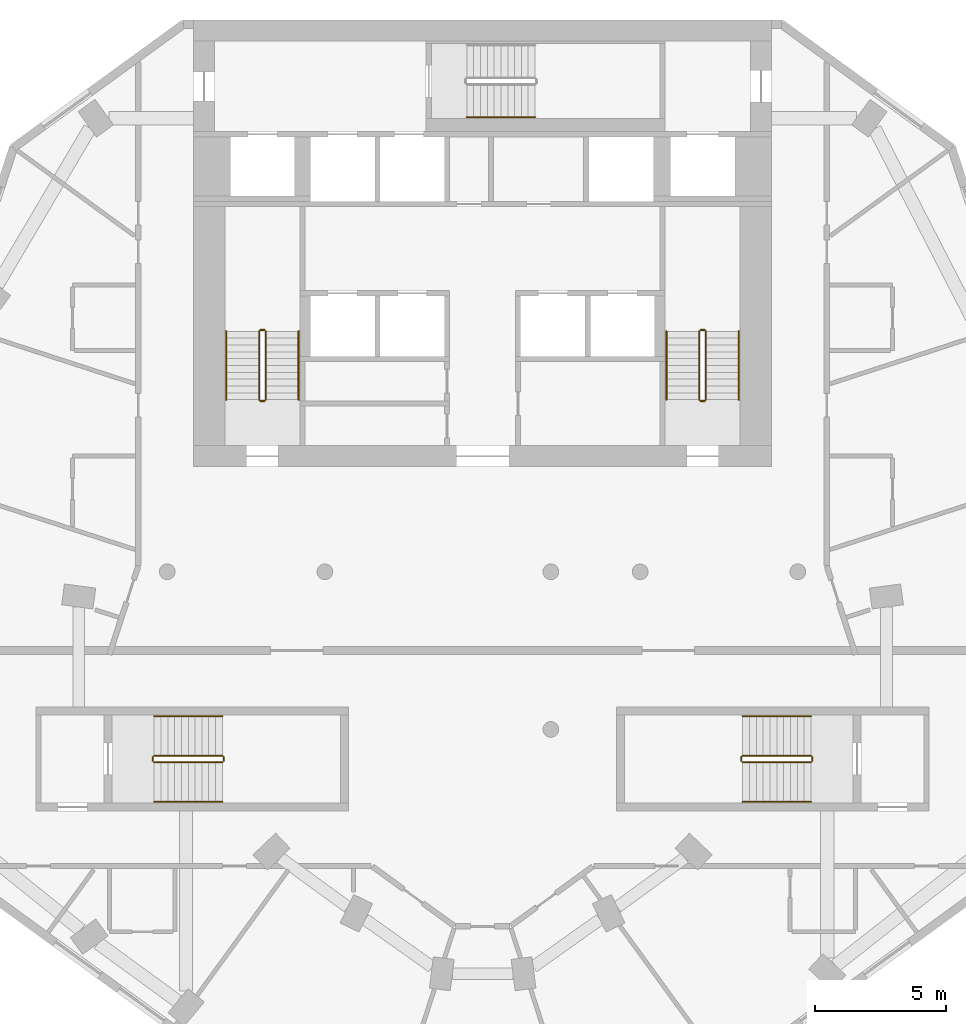
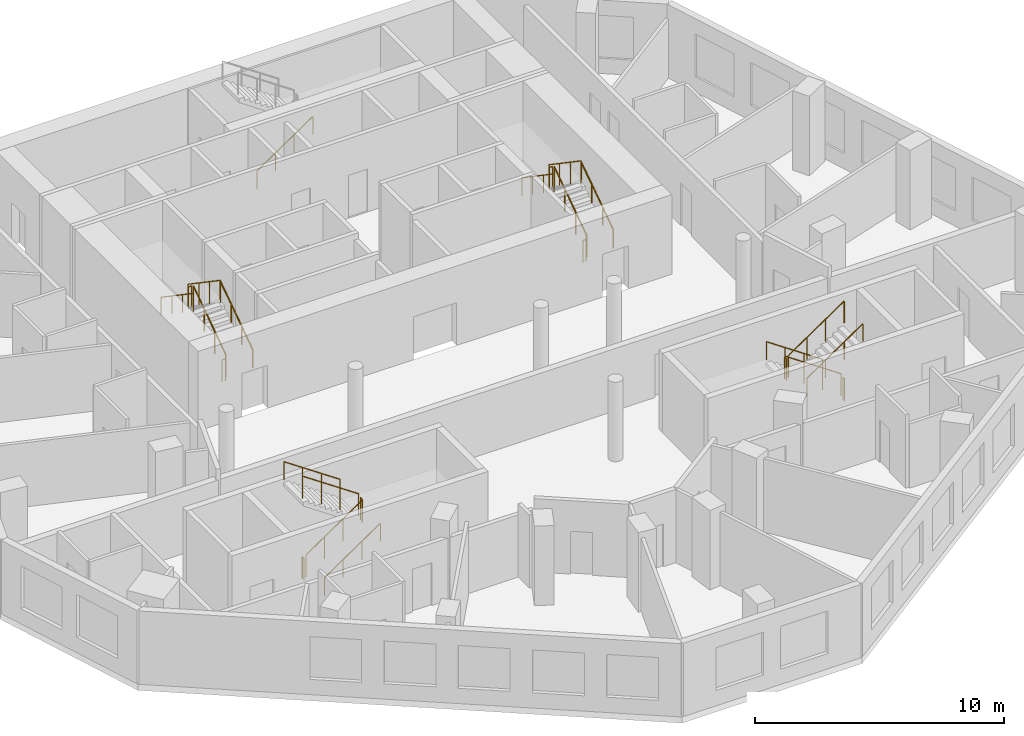
# One storey, part 8 of 9: 25 railings.
"""IFC4 building model written with IfcOpenShell, lengths in metres."""

import ifcopenshell
import ifcopenshell.guid

model = None  # the IFC model being written
_history = None  # IfcOwnerHistory: only IFC2X3 demands one
_inside = {}  # id of a spatial element -> (the spatial element, [elements in it])
_under = {}  # id of a project, library or spatial element -> (it, [spatial elements below it])
_declared = {}  # id of a project -> (the project, [libraries it declares])
_typed = {}  # id of a type object -> (the type object, [elements of that type])
_made_of = {}  # id of a material, layer set ... -> (it, [elements and type objects made of it])


def new_model(schema):
    """Start an empty IFC model of exactly this schema.

    Asked for "IFC4X3", IfcOpenShell would pick the latest addendum, in which some entities
    have other attributes; the version numbers below select the first issue.
    IFC2X3 requires an IfcOwnerHistory on every rooted entity: one is made here for all.
    """
    global model, _history
    if schema == "IFC4X3":
        model = ifcopenshell.file(schema_version=(4, 3, 0, 0))
    else:
        model = ifcopenshell.file(schema=schema)
    _inside.clear()
    _under.clear()
    _declared.clear()
    _typed.clear()
    _made_of.clear()
    _history = None
    if model.schema == "IFC2X3":
        org = make("IfcOrganization", Name="unknown")
        user = make(
            "IfcPersonAndOrganization",
            ThePerson=make("IfcPerson", FamilyName="unknown"),
            TheOrganization=org,
        )
        app = make(
            "IfcApplication",
            ApplicationDeveloper=org,
            Version="unknown",
            ApplicationFullName="unknown",
            ApplicationIdentifier="unknown",
        )
        _history = make(
            "IfcOwnerHistory",
            OwningUser=user,
            OwningApplication=app,
            ChangeAction="ADDED",
            CreationDate=0,
        )
    return model


def make(cls, **values):
    """One entity of the class cls with the attributes given. An attribute that is None is left unset."""
    return model.create_entity(
        cls, **{name: value for name, value in values.items() if value is not None}
    )


def rooted(cls, **values):
    """An entity with a GlobalId (a new one), such as an element, a storey or a relation."""
    return make(cls, GlobalId=ifcopenshell.guid.new(), OwnerHistory=_history, **values)


def si_unit(unit_type, name, prefix=None):
    """IfcSIUnit, for example si_unit("LENGTHUNIT", "METRE", prefix="MILLI")."""
    return make("IfcSIUnit", UnitType=unit_type, Prefix=prefix, Name=name)


def assignment(units):
    """IfcUnitAssignment: the units of a project."""
    return None if units is None else make("IfcUnitAssignment", Units=units)


def point(xyz):
    """IfcCartesianPoint."""
    return None if xyz is None else make("IfcCartesianPoint", Coordinates=xyz)


def direction(xyz):
    """IfcDirection."""
    return None if xyz is None else make("IfcDirection", DirectionRatios=xyz)


def frame(location, z_axis=None, x_axis=None):
    """IfcAxis2Placement3D, a coordinate frame: its origin and axes. An axis left out is left unset."""
    return make(
        "IfcAxis2Placement3D",
        Location=point(location),
        Axis=direction(z_axis),
        RefDirection=direction(x_axis),
    )


def frame_2d(location, x_axis=None):
    """IfcAxis2Placement2D, a coordinate frame in the plane: its origin and x axis."""
    return make(
        "IfcAxis2Placement2D", Location=point(location), RefDirection=direction(x_axis)
    )


def origin():
    """The frame at (0, 0, 0) with its axes left unset."""
    return frame((0.0, 0.0, 0.0))


def origin_2d():
    """The frame at (0, 0) in the plane with its x axis left unset."""
    return frame_2d((0.0, 0.0))


def place(relative_to, where):
    """IfcLocalPlacement: puts the frame where relative to a parent placement (None: the world)."""
    return make(
        "IfcLocalPlacement", PlacementRelTo=relative_to, RelativePlacement=where
    )


def context(
    kind, dimensions, precision=None, world=None, true_north=None, identifier=None
):
    """IfcGeometricRepresentationContext, for example the 3D "Model" context."""
    return make(
        "IfcGeometricRepresentationContext",
        ContextIdentifier=identifier,
        ContextType=kind,
        CoordinateSpaceDimension=dimensions,
        Precision=precision,
        WorldCoordinateSystem=world,
        TrueNorth=true_north,
    )


def subcontext(parent, identifier, kind, view, scale=None):
    """IfcGeometricRepresentationSubContext, for example "Body" below "Model"."""
    return make(
        "IfcGeometricRepresentationSubContext",
        ContextIdentifier=identifier,
        ContextType=kind,
        ParentContext=parent,
        TargetScale=scale,
        TargetView=view,
    )


def project(units=None, contexts=None):
    """IfcProject with its units and contexts."""
    return rooted(
        "IfcProject",
        Name="project",
        RepresentationContexts=contexts,
        UnitsInContext=assignment(units),
    )


def spatial(cls, under=None, at=None, **own):
    """A site, building, storey or space (cls), placed at a placement, below another one or the project."""
    s = rooted(cls, ObjectPlacement=at, **own)
    if under is not None:
        _under.setdefault(under.id(), (under, []))[1].append(s)
    return s


def profile(cls, at=None, kind="AREA", **sizes):
    """A parametric profile (cls). Its sizes go by their IFC names, for example OverallWidth=200.0."""
    return make(cls, ProfileType=kind, Position=at, **sizes)


def circle(**sizes):
    """IfcCircleProfileDef."""
    return profile("IfcCircleProfileDef", **sizes)


def extrude(swept, where, along, depth):
    """IfcExtrudedAreaSolid: the profile swept, set in the frame where, extruded along a direction by depth."""
    return make(
        "IfcExtrudedAreaSolid",
        SweptArea=swept,
        Position=where,
        ExtrudedDirection=direction(along),
        Depth=depth,
    )


def shape(context_of_items, identifier, shape_type, items):
    """IfcShapeRepresentation: the items that make up one representation, for example the "Body"."""
    return make(
        "IfcShapeRepresentation",
        ContextOfItems=context_of_items,
        RepresentationIdentifier=identifier,
        RepresentationType=shape_type,
        Items=items,
    )


def material(Name=None, Category=None):
    """IfcMaterial."""
    return make("IfcMaterial", Name=Name, Category=Category)


def made_of(thing, what):
    """Note that an element or type object is made of a material, layer set ...; save() writes the relation."""
    if what is not None:
        _made_of.setdefault(what.id(), (what, []))[1].append(thing)
    return thing


def type_object(cls, material=None, **own):
    """A type object (cls), such as IfcWallType, which elements share."""
    return made_of(rooted(cls, **own), material)


def element(
    cls,
    number,
    at=None,
    inside=None,
    cuts=None,
    type_object=None,
    material=None,
    context=None,
    identifier="Body",
    shape_type=None,
    held_by="IfcProductDefinitionShape",
    body=None,
    shapes=None,
    **own,
):
    """One element of the class cls, such as IfcWall. Its Tag is "e" and its number.

    at: its placement. inside: the storey or other place that contains it. cuts: it is an
    opening in that element (IfcRelVoidsElement). A single representation is given by context,
    identifier, shape_type and body (its items); several are given by shapes. held_by: the class
    of the entity that holds the representations. save() writes the other relations.
    """
    e = rooted(cls, Tag="e%d" % number, ObjectPlacement=at, **own)
    if body is not None:
        shapes = [shape(context, identifier, shape_type, body)]
    if shapes is not None:
        e.Representation = make(held_by, Representations=shapes)
    if inside is not None:
        _inside.setdefault(inside.id(), (inside, []))[1].append(e)
    if cuts is not None:
        rooted(
            "IfcRelVoidsElement", RelatingBuildingElement=cuts, RelatedOpeningElement=e
        )
    if type_object is not None:
        _typed.setdefault(type_object.id(), (type_object, []))[1].append(e)
    return made_of(e, material)


def aggregate(whole, parts):
    """IfcRelAggregates: a whole, such as a stair, and the parts it consists of."""
    return rooted("IfcRelAggregates", RelatingObject=whole, RelatedObjects=parts)


def save(model, path):
    """Write the relations noted so far, then the file.

    IfcRelAggregates (storeys below a building ...), IfcRelContainedInSpatialStructure (elements
    in a storey), IfcRelDefinesByType, IfcRelAssociatesMaterial and IfcRelDeclares: one each for
    every whole, place, type object, material and project.
    """
    for whole, parts in _under.values():
        aggregate(whole, parts)
    for where, things in _inside.values():
        rooted(
            "IfcRelContainedInSpatialStructure",
            RelatedElements=things,
            RelatingStructure=where,
        )
    for kind, things in _typed.values():
        rooted("IfcRelDefinesByType", RelatedObjects=things, RelatingType=kind)
    for what, things in _made_of.values():
        rooted("IfcRelAssociatesMaterial", RelatedObjects=things, RelatingMaterial=what)
    for by, libraries in _declared.values():
        rooted("IfcRelDeclares", RelatingContext=by, RelatedDefinitions=libraries)
    model.write(path)


model = new_model("IFC4")

# Units and contexts
model_context = context("Model", 3, precision=1e-05, world=origin(), true_north=direction((0.0, 1.0)))
body_context = subcontext(model_context, "Body", "Model", "MODEL_VIEW")
ifc_project = project(units=[si_unit("LENGTHUNIT", "METRE"), si_unit("AREAUNIT", "SQUARE_METRE"), si_unit("VOLUMEUNIT", "CUBIC_METRE"), si_unit("PLANEANGLEUNIT", "RADIAN"), si_unit("MASSUNIT", "GRAM", prefix="KILO")], contexts=[model_context])

# Site, building, storey
site_placement = place(None, origin())
site = spatial("IfcSite", under=ifc_project, at=site_placement, CompositionType="ELEMENT")
building_placement = place(site_placement, origin())
building = spatial("IfcBuilding", under=site, at=building_placement, Name="White Candle Pilgrim Tower", CompositionType="ELEMENT")
storey_placement = place(building_placement, frame((0.0, 0.0, 239.39990234375)))
storey = spatial("IfcBuildingStorey", under=building, at=storey_placement, Name="L56", CompositionType="ELEMENT", Elevation=239.39990234375)

# Railings
ifc_material = material(Name="Stainless steel", Category="steel")
railing_type_1 = type_object("IfcRailingType", Name="Stair guard stainless steel 1100 mm", PredefinedType="GUARDRAIL", material=ifc_material)
railing_1_placement = place(storey_placement, frame((61.75, 73.550048828125, 0.177490234375)))
element("IfcRailing", 1, at=railing_1_placement, inside=storey, type_object=railing_type_1, Name="L56 ST1 stair guard 1", PredefinedType="GUARDRAIL", context=body_context, shape_type="SweptSolid", body=[
    extrude(circle(Radius=0.02392578125, at=origin_2d()), frame((0.0, 0.0, 1.076171875), z_axis=(0.0, 0.826215852431, 0.563353676824), x_axis=(-1.0, 0.0, 0.0)), (0.0, 0.0, 1.0), 3.146728515625),
    extrude(circle(Radius=0.02099609375, at=origin_2d()), origin(), (0.0, 0.0, 1.0), 1.052001953125),
    extrude(circle(Radius=0.02099609375, at=origin_2d()), frame((0.0, 0.86669921875, 0.5908203125)), (0.0, 0.0, 1.0), 1.052001953125),
    extrude(circle(Radius=0.02099609375, at=origin_2d()), frame((0.0, 1.733154296875, 1.181884765625)), (0.0, 0.0, 1.0), 1.052001953125),
    extrude(circle(Radius=0.02099609375, at=origin_2d()), frame((0.0, 2.599853515625, 1.772705078125)), (0.0, 0.0, 1.0), 1.052001953125),
])
railing_2_placement = place(storey_placement, frame((61.699951171875, 76.199951171875, 1.9501953125)))
element("IfcRailing", 2, at=railing_2_placement, inside=storey, type_object=railing_type_1, Name="L56 ST1 stair guard 2", PredefinedType="GUARDRAIL", context=body_context, shape_type="SweptSolid", body=[
    extrude(circle(Radius=0.02392578125, at=origin_2d()), frame((0.0, 0.0, 1.076171875), z_axis=(-1.0, 0.0, 0.0), x_axis=(0.0, -1.0, 0.0)), (0.0, 0.0, 1.0), 0.14990234375),
    extrude(circle(Radius=0.02099609375, at=origin_2d()), origin(), (0.0, 0.0, 1.0), 1.052001953125),
    extrude(circle(Radius=0.02099609375, at=origin_2d()), frame((-0.14990234375, 0.0, 0.0)), (0.0, 0.0, 1.0), 1.052001953125),
])
railing_3_placement = place(storey_placement, frame((61.5, 76.14990234375, 2.12744140625)))
element("IfcRailing", 3, at=railing_3_placement, inside=storey, type_object=railing_type_1, Name="L56 ST1 stair guard 3", PredefinedType="GUARDRAIL", context=body_context, shape_type="SweptSolid", body=[
    extrude(circle(Radius=0.02392578125, at=origin_2d()), frame((0.0, 0.0, 1.076171875), z_axis=(0.0, -0.826215852431, 0.563353676824), x_axis=(1.0, 0.0, 0.0)), (0.0, 0.0, 1.0), 3.146728515625),
    extrude(circle(Radius=0.02099609375, at=origin_2d()), origin(), (0.0, 0.0, 1.0), 1.052001953125),
    extrude(circle(Radius=0.02099609375, at=origin_2d()), frame((0.0, -0.86669921875, 0.5908203125)), (0.0, 0.0, 1.0), 1.052001953125),
    extrude(circle(Radius=0.02099609375, at=origin_2d()), frame((0.0, -1.733154296875, 1.181884765625)), (0.0, 0.0, 1.0), 1.052001953125),
    extrude(circle(Radius=0.02099609375, at=origin_2d()), frame((0.0, -2.599853515625, 1.772705078125)), (0.0, 0.0, 1.0), 1.052001953125),
])
railing_4_placement = place(storey_placement, frame((61.699951171875, 73.5, 0.0)))
element("IfcRailing", 4, at=railing_4_placement, inside=storey, type_object=railing_type_1, Name="L56 ST1 stair guard 4", PredefinedType="GUARDRAIL", context=body_context, shape_type="SweptSolid", body=[
    extrude(circle(Radius=0.02392578125, at=origin_2d()), frame((0.0, 0.0, 1.076171875), z_axis=(-1.0, 0.0, 0.0), x_axis=(0.0, -1.0, 0.0)), (0.0, 0.0, 1.0), 0.14990234375),
    extrude(circle(Radius=0.02099609375, at=origin_2d()), origin(), (0.0, 0.0, 1.0), 1.052001953125),
    extrude(circle(Radius=0.02099609375, at=origin_2d()), frame((-0.14990234375, 0.0, 0.0)), (0.0, 0.0, 1.0), 1.052001953125),
])
railing_5_placement = place(storey_placement, frame((78.5, 73.550048828125, 0.177490234375)))
element("IfcRailing", 5, at=railing_5_placement, inside=storey, type_object=railing_type_1, Name="L56 ST2 stair guard 1", PredefinedType="GUARDRAIL", context=body_context, shape_type="SweptSolid", body=[
    extrude(circle(Radius=0.02392578125, at=origin_2d()), frame((0.0, 0.0, 1.076171875), z_axis=(0.0, 0.826215852431, 0.563353676824), x_axis=(-1.0, 0.0, 0.0)), (0.0, 0.0, 1.0), 3.146728515625),
    extrude(circle(Radius=0.02099609375, at=origin_2d()), origin(), (0.0, 0.0, 1.0), 1.052001953125),
    extrude(circle(Radius=0.02099609375, at=origin_2d()), frame((0.0, 0.86669921875, 0.5908203125)), (0.0, 0.0, 1.0), 1.052001953125),
    extrude(circle(Radius=0.02099609375, at=origin_2d()), frame((0.0, 1.733154296875, 1.181884765625)), (0.0, 0.0, 1.0), 1.052001953125),
    extrude(circle(Radius=0.02099609375, at=origin_2d()), frame((0.0, 2.599853515625, 1.772705078125)), (0.0, 0.0, 1.0), 1.052001953125),
])
railing_6_placement = place(storey_placement, frame((78.449951171875, 76.199951171875, 1.9501953125)))
element("IfcRailing", 6, at=railing_6_placement, inside=storey, type_object=railing_type_1, Name="L56 ST2 stair guard 2", PredefinedType="GUARDRAIL", context=body_context, shape_type="SweptSolid", body=[
    extrude(circle(Radius=0.02392578125, at=origin_2d()), frame((0.0, 0.0, 1.076171875), z_axis=(-1.0, 0.0, 0.0), x_axis=(0.0, -1.0, 0.0)), (0.0, 0.0, 1.0), 0.14990234375),
    extrude(circle(Radius=0.02099609375, at=origin_2d()), origin(), (0.0, 0.0, 1.0), 1.052001953125),
    extrude(circle(Radius=0.02099609375, at=origin_2d()), frame((-0.14990234375, 0.0, 0.0)), (0.0, 0.0, 1.0), 1.052001953125),
])
railing_7_placement = place(storey_placement, frame((78.25, 76.14990234375, 2.12744140625)))
element("IfcRailing", 7, at=railing_7_placement, inside=storey, type_object=railing_type_1, Name="L56 ST2 stair guard 3", PredefinedType="GUARDRAIL", context=body_context, shape_type="SweptSolid", body=[
    extrude(circle(Radius=0.02392578125, at=origin_2d()), frame((0.0, 0.0, 1.076171875), z_axis=(0.0, -0.826215852431, 0.563353676824), x_axis=(1.0, 0.0, 0.0)), (0.0, 0.0, 1.0), 3.146728515625),
    extrude(circle(Radius=0.02099609375, at=origin_2d()), origin(), (0.0, 0.0, 1.0), 1.052001953125),
    extrude(circle(Radius=0.02099609375, at=origin_2d()), frame((0.0, -0.86669921875, 0.5908203125)), (0.0, 0.0, 1.0), 1.052001953125),
    extrude(circle(Radius=0.02099609375, at=origin_2d()), frame((0.0, -1.733154296875, 1.181884765625)), (0.0, 0.0, 1.0), 1.052001953125),
    extrude(circle(Radius=0.02099609375, at=origin_2d()), frame((0.0, -2.599853515625, 1.772705078125)), (0.0, 0.0, 1.0), 1.052001953125),
])
railing_8_placement = place(storey_placement, frame((78.449951171875, 73.5, 0.0)))
element("IfcRailing", 8, at=railing_8_placement, inside=storey, type_object=railing_type_1, Name="L56 ST2 stair guard 4", PredefinedType="GUARDRAIL", context=body_context, shape_type="SweptSolid", body=[
    extrude(circle(Radius=0.02392578125, at=origin_2d()), frame((0.0, 0.0, 1.076171875), z_axis=(-1.0, 0.0, 0.0), x_axis=(0.0, -1.0, 0.0)), (0.0, 0.0, 1.0), 0.14990234375),
    extrude(circle(Radius=0.02099609375, at=origin_2d()), origin(), (0.0, 0.0, 1.0), 1.052001953125),
    extrude(circle(Radius=0.02099609375, at=origin_2d()), frame((-0.14990234375, 0.0, 0.0)), (0.0, 0.0, 1.0), 1.052001953125),
])
railing_9_placement = place(storey_placement, frame((82.5, 60.0, 0.177490234375)))
element("IfcRailing", 9, at=railing_9_placement, inside=storey, type_object=railing_type_1, Name="L56 ST4 stair guard 1", PredefinedType="GUARDRAIL", context=body_context, shape_type="SweptSolid", body=[
    extrude(circle(Radius=0.02392578125, at=origin_2d()), frame((0.0, 0.0, 1.076171875), z_axis=(-0.826240473404, 0.0, 0.563317565952), x_axis=(0.0, -1.0, 0.0)), (0.0, 0.0, 1.0), 3.14697265625),
    extrude(circle(Radius=0.02099609375, at=origin_2d()), origin(), (0.0, 0.0, 1.0), 1.052001953125),
    extrude(circle(Radius=0.02099609375, at=origin_2d()), frame((-0.86669921875, 0.0, 0.5908203125)), (0.0, 0.0, 1.0), 1.052001953125),
    extrude(circle(Radius=0.02099609375, at=origin_2d()), frame((-1.7333984375, 0.0, 1.181884765625)), (0.0, 0.0, 1.0), 1.052001953125),
    extrude(circle(Radius=0.02099609375, at=origin_2d()), frame((-2.60009765625, 0.0, 1.772705078125)), (0.0, 0.0, 1.0), 1.052001953125),
])
railing_10_placement = place(storey_placement, frame((79.85009765625, 59.949951171875, 1.9501953125)))
element("IfcRailing", 10, at=railing_10_placement, inside=storey, type_object=railing_type_1, Name="L56 ST4 stair guard 2", PredefinedType="GUARDRAIL", context=body_context, shape_type="SweptSolid", body=[
    extrude(circle(Radius=0.02392578125, at=origin_2d()), frame((0.0, 0.0, 1.076171875), z_axis=(0.0, -1.0, 0.0), x_axis=(1.0, 0.0, 0.0)), (0.0, 0.0, 1.0), 0.14990234375),
    extrude(circle(Radius=0.02099609375, at=origin_2d()), origin(), (0.0, 0.0, 1.0), 1.052001953125),
    extrude(circle(Radius=0.02099609375, at=origin_2d()), frame((0.0, -0.14990234375, 0.0)), (0.0, 0.0, 1.0), 1.052001953125),
])
railing_11_placement = place(storey_placement, frame((79.89990234375, 59.75, 2.12744140625)))
element("IfcRailing", 11, at=railing_11_placement, inside=storey, type_object=railing_type_1, Name="L56 ST4 stair guard 3", PredefinedType="GUARDRAIL", context=body_context, shape_type="SweptSolid", body=[
    extrude(circle(Radius=0.02392578125, at=origin_2d()), frame((0.0, 0.0, 1.076171875), z_axis=(0.826240473404, 0.0, 0.563317565952), x_axis=(0.0, 1.0, 0.0)), (0.0, 0.0, 1.0), 3.14697265625),
    extrude(circle(Radius=0.02099609375, at=origin_2d()), origin(), (0.0, 0.0, 1.0), 1.052001953125),
    extrude(circle(Radius=0.02099609375, at=origin_2d()), frame((0.86669921875, 0.0, 0.5908203125)), (0.0, 0.0, 1.0), 1.052001953125),
    extrude(circle(Radius=0.02099609375, at=origin_2d()), frame((1.7333984375, 0.0, 1.181884765625)), (0.0, 0.0, 1.0), 1.052001953125),
    extrude(circle(Radius=0.02099609375, at=origin_2d()), frame((2.60009765625, 0.0, 1.772705078125)), (0.0, 0.0, 1.0), 1.052001953125),
])
railing_12_placement = place(storey_placement, frame((82.550048828125, 59.949951171875, 0.0)))
element("IfcRailing", 12, at=railing_12_placement, inside=storey, type_object=railing_type_1, Name="L56 ST4 stair guard 4", PredefinedType="GUARDRAIL", context=body_context, shape_type="SweptSolid", body=[
    extrude(circle(Radius=0.02392578125, at=origin_2d()), frame((0.0, 0.0, 1.076171875), z_axis=(0.0, -1.0, 0.0), x_axis=(1.0, 0.0, 0.0)), (0.0, 0.0, 1.0), 0.14990234375),
    extrude(circle(Radius=0.02099609375, at=origin_2d()), origin(), (0.0, 0.0, 1.0), 1.052001953125),
    extrude(circle(Radius=0.02099609375, at=origin_2d()), frame((0.0, -0.14990234375, 0.0)), (0.0, 0.0, 1.0), 1.052001953125),
])
railing_13_placement = place(storey_placement, frame((57.5, 59.75, 0.177490234375)))
element("IfcRailing", 13, at=railing_13_placement, inside=storey, type_object=railing_type_1, Name="L56 ST5 stair guard 1", PredefinedType="GUARDRAIL", context=body_context, shape_type="SweptSolid", body=[
    extrude(circle(Radius=0.02392578125, at=origin_2d()), frame((0.0, 0.0, 1.076171875), z_axis=(0.826240473404, 0.0, 0.563317565952), x_axis=(0.0, 1.0, 0.0)), (0.0, 0.0, 1.0), 3.14697265625),
    extrude(circle(Radius=0.02099609375, at=origin_2d()), origin(), (0.0, 0.0, 1.0), 1.052001953125),
    extrude(circle(Radius=0.02099609375, at=origin_2d()), frame((0.86669921875, 0.0, 0.5908203125)), (0.0, 0.0, 1.0), 1.052001953125),
    extrude(circle(Radius=0.02099609375, at=origin_2d()), frame((1.7333984375, 0.0, 1.181884765625)), (0.0, 0.0, 1.0), 1.052001953125),
    extrude(circle(Radius=0.02099609375, at=origin_2d()), frame((2.60009765625, 0.0, 1.772705078125)), (0.0, 0.0, 1.0), 1.052001953125),
])
railing_14_placement = place(storey_placement, frame((60.14990234375, 59.800048828125, 1.9501953125)))
element("IfcRailing", 14, at=railing_14_placement, inside=storey, type_object=railing_type_1, Name="L56 ST5 stair guard 2", PredefinedType="GUARDRAIL", context=body_context, shape_type="SweptSolid", body=[
    extrude(circle(Radius=0.02392578125, at=origin_2d()), frame((0.0, 0.0, 1.076171875), z_axis=(0.0, 1.0, 0.0), x_axis=(-1.0, 0.0, 0.0)), (0.0, 0.0, 1.0), 0.14990234375),
    extrude(circle(Radius=0.02099609375, at=origin_2d()), origin(), (0.0, 0.0, 1.0), 1.052001953125),
    extrude(circle(Radius=0.02099609375, at=origin_2d()), frame((0.0, 0.14990234375, 0.0)), (0.0, 0.0, 1.0), 1.052001953125),
])
railing_15_placement = place(storey_placement, frame((60.10009765625, 60.0, 2.12744140625)))
element("IfcRailing", 15, at=railing_15_placement, inside=storey, type_object=railing_type_1, Name="L56 ST5 stair guard 3", PredefinedType="GUARDRAIL", context=body_context, shape_type="SweptSolid", body=[
    extrude(circle(Radius=0.02392578125, at=origin_2d()), frame((0.0, 0.0, 1.076171875), z_axis=(-0.826240473404, 0.0, 0.563317565952), x_axis=(0.0, -1.0, 0.0)), (0.0, 0.0, 1.0), 3.14697265625),
    extrude(circle(Radius=0.02099609375, at=origin_2d()), origin(), (0.0, 0.0, 1.0), 1.052001953125),
    extrude(circle(Radius=0.02099609375, at=origin_2d()), frame((-0.86669921875, 0.0, 0.5908203125)), (0.0, 0.0, 1.0), 1.052001953125),
    extrude(circle(Radius=0.02099609375, at=origin_2d()), frame((-1.7333984375, 0.0, 1.181884765625)), (0.0, 0.0, 1.0), 1.052001953125),
    extrude(circle(Radius=0.02099609375, at=origin_2d()), frame((-2.60009765625, 0.0, 1.772705078125)), (0.0, 0.0, 1.0), 1.052001953125),
])
railing_16_placement = place(storey_placement, frame((57.449951171875, 59.800048828125, 0.0)))
element("IfcRailing", 16, at=railing_16_placement, inside=storey, type_object=railing_type_1, Name="L56 ST5 stair guard 4", PredefinedType="GUARDRAIL", context=body_context, shape_type="SweptSolid", body=[
    extrude(circle(Radius=0.02392578125, at=origin_2d()), frame((0.0, 0.0, 1.076171875), z_axis=(0.0, 1.0, 0.0), x_axis=(-1.0, 0.0, 0.0)), (0.0, 0.0, 1.0), 0.14990234375),
    extrude(circle(Radius=0.02099609375, at=origin_2d()), origin(), (0.0, 0.0, 1.0), 1.052001953125),
    extrude(circle(Radius=0.02099609375, at=origin_2d()), frame((0.0, 0.14990234375, 0.0)), (0.0, 0.0, 1.0), 1.052001953125),
])
railing_type_2 = type_object("IfcRailingType", Name="Stair handrail stainless steel", PredefinedType="HANDRAIL", material=ifc_material)
railing_17_placement = place(storey_placement, frame((63.0, 73.550048828125, 0.177490234375)))
element("IfcRailing", 17, at=railing_17_placement, inside=storey, type_object=railing_type_2, Name="L56 ST1 stair handrail 1", PredefinedType="HANDRAIL", context=body_context, shape_type="SweptSolid", body=[
    extrude(circle(Radius=0.02392578125, at=origin_2d()), frame((0.0, 0.0, 0.8759765625), z_axis=(0.0, 0.826215852431, 0.563353676824), x_axis=(-1.0, 0.0, 0.0)), (0.0, 0.0, 1.0), 3.146728515625),
    extrude(circle(Radius=0.02099609375, at=origin_2d()), origin(), (0.0, 0.0, 1.0), 0.851806640625),
    extrude(circle(Radius=0.02099609375, at=origin_2d()), frame((0.0, 0.86669921875, 0.5908203125)), (0.0, 0.0, 1.0), 0.851806640625),
    extrude(circle(Radius=0.02099609375, at=origin_2d()), frame((0.0, 1.733154296875, 1.181884765625)), (0.0, 0.0, 1.0), 0.851806640625),
    extrude(circle(Radius=0.02099609375, at=origin_2d()), frame((0.0, 2.599853515625, 1.772705078125)), (0.0, 0.0, 1.0), 0.851806640625),
])
railing_18_placement = place(storey_placement, frame((60.25, 76.14990234375, 2.12744140625)))
element("IfcRailing", 18, at=railing_18_placement, inside=storey, type_object=railing_type_2, Name="L56 ST1 stair handrail 2", PredefinedType="HANDRAIL", context=body_context, shape_type="SweptSolid", body=[
    extrude(circle(Radius=0.02392578125, at=origin_2d()), frame((0.0, 0.0, 0.8759765625), z_axis=(0.0, -0.826215852431, 0.563353676824), x_axis=(1.0, 0.0, 0.0)), (0.0, 0.0, 1.0), 3.146728515625),
    extrude(circle(Radius=0.02099609375, at=origin_2d()), origin(), (0.0, 0.0, 1.0), 0.851806640625),
    extrude(circle(Radius=0.02099609375, at=origin_2d()), frame((0.0, -0.86669921875, 0.5908203125)), (0.0, 0.0, 1.0), 0.851806640625),
    extrude(circle(Radius=0.02099609375, at=origin_2d()), frame((0.0, -1.733154296875, 1.181884765625)), (0.0, 0.0, 1.0), 0.851806640625),
    extrude(circle(Radius=0.02099609375, at=origin_2d()), frame((0.0, -2.599853515625, 1.772705078125)), (0.0, 0.0, 1.0), 0.851806640625),
])
railing_19_placement = place(storey_placement, frame((79.75, 73.550048828125, 0.177490234375)))
element("IfcRailing", 19, at=railing_19_placement, inside=storey, type_object=railing_type_2, Name="L56 ST2 stair handrail 1", PredefinedType="HANDRAIL", context=body_context, shape_type="SweptSolid", body=[
    extrude(circle(Radius=0.02392578125, at=origin_2d()), frame((0.0, 0.0, 0.8759765625), z_axis=(0.0, 0.826215852431, 0.563353676824), x_axis=(-1.0, 0.0, 0.0)), (0.0, 0.0, 1.0), 3.146728515625),
    extrude(circle(Radius=0.02099609375, at=origin_2d()), origin(), (0.0, 0.0, 1.0), 0.851806640625),
    extrude(circle(Radius=0.02099609375, at=origin_2d()), frame((0.0, 0.86669921875, 0.5908203125)), (0.0, 0.0, 1.0), 0.851806640625),
    extrude(circle(Radius=0.02099609375, at=origin_2d()), frame((0.0, 1.733154296875, 1.181884765625)), (0.0, 0.0, 1.0), 0.851806640625),
    extrude(circle(Radius=0.02099609375, at=origin_2d()), frame((0.0, 2.599853515625, 1.772705078125)), (0.0, 0.0, 1.0), 0.851806640625),
])
railing_20_placement = place(storey_placement, frame((77.0, 76.14990234375, 2.12744140625)))
element("IfcRailing", 20, at=railing_20_placement, inside=storey, type_object=railing_type_2, Name="L56 ST2 stair handrail 2", PredefinedType="HANDRAIL", context=body_context, shape_type="SweptSolid", body=[
    extrude(circle(Radius=0.02392578125, at=origin_2d()), frame((0.0, 0.0, 0.8759765625), z_axis=(0.0, -0.826215852431, 0.563353676824), x_axis=(1.0, 0.0, 0.0)), (0.0, 0.0, 1.0), 3.146728515625),
    extrude(circle(Radius=0.02099609375, at=origin_2d()), origin(), (0.0, 0.0, 1.0), 0.851806640625),
    extrude(circle(Radius=0.02099609375, at=origin_2d()), frame((0.0, -0.86669921875, 0.5908203125)), (0.0, 0.0, 1.0), 0.851806640625),
    extrude(circle(Radius=0.02099609375, at=origin_2d()), frame((0.0, -1.733154296875, 1.181884765625)), (0.0, 0.0, 1.0), 0.851806640625),
    extrude(circle(Radius=0.02099609375, at=origin_2d()), frame((0.0, -2.599853515625, 1.772705078125)), (0.0, 0.0, 1.0), 0.851806640625),
])
railing_21_placement = place(storey_placement, frame((69.39990234375, 84.300048828125, 0.177490234375)))
element("IfcRailing", 21, at=railing_21_placement, inside=storey, type_object=railing_type_2, Name="L56 ST3 stair handrail 1", PredefinedType="HANDRAIL", context=body_context, shape_type="SweptSolid", body=[
    extrude(circle(Radius=0.02392578125, at=origin_2d()), frame((0.0, 0.0, 0.8759765625), z_axis=(0.826240473404, 0.0, 0.563317565952), x_axis=(0.0, 1.0, 0.0)), (0.0, 0.0, 1.0), 3.14697265625),
    extrude(circle(Radius=0.02099609375, at=origin_2d()), origin(), (0.0, 0.0, 1.0), 0.851806640625),
    extrude(circle(Radius=0.02099609375, at=origin_2d()), frame((0.86669921875, 0.0, 0.5908203125)), (0.0, 0.0, 1.0), 0.851806640625),
    extrude(circle(Radius=0.02099609375, at=origin_2d()), frame((1.7333984375, 0.0, 1.181884765625)), (0.0, 0.0, 1.0), 0.851806640625),
    extrude(circle(Radius=0.02099609375, at=origin_2d()), frame((2.60009765625, 0.0, 1.772705078125)), (0.0, 0.0, 1.0), 0.851806640625),
])
railing_22_placement = place(storey_placement, frame((82.5, 61.5, 0.177490234375)))
element("IfcRailing", 22, at=railing_22_placement, inside=storey, type_object=railing_type_2, Name="L56 ST4 stair handrail 1", PredefinedType="HANDRAIL", context=body_context, shape_type="SweptSolid", body=[
    extrude(circle(Radius=0.02392578125, at=origin_2d()), frame((0.0, 0.0, 0.8759765625), z_axis=(-0.826240473404, 0.0, 0.563317565952), x_axis=(0.0, -1.0, 0.0)), (0.0, 0.0, 1.0), 3.14697265625),
    extrude(circle(Radius=0.02099609375, at=origin_2d()), origin(), (0.0, 0.0, 1.0), 0.851806640625),
    extrude(circle(Radius=0.02099609375, at=origin_2d()), frame((-0.86669921875, 0.0, 0.5908203125)), (0.0, 0.0, 1.0), 0.851806640625),
    extrude(circle(Radius=0.02099609375, at=origin_2d()), frame((-1.7333984375, 0.0, 1.181884765625)), (0.0, 0.0, 1.0), 0.851806640625),
    extrude(circle(Radius=0.02099609375, at=origin_2d()), frame((-2.60009765625, 0.0, 1.772705078125)), (0.0, 0.0, 1.0), 0.851806640625),
])
for number, where, name in (
    (23, (79.89990234375, 58.25, 2.12744140625), "L56 ST4 stair handrail 2"),
    (24, (57.5, 58.25, 0.177490234375), "L56 ST5 stair handrail 1"),
):
    element("IfcRailing", number, at=place(storey_placement, frame(where)), inside=storey, type_object=railing_type_2, Name=name, PredefinedType="HANDRAIL", context=body_context, shape_type="SweptSolid", body=[
        extrude(circle(Radius=0.02392578125, at=origin_2d()), frame((0.0, 0.0, 0.8759765625), z_axis=(0.826240473404, 0.0, 0.563317565952), x_axis=(0.0, 1.0, 0.0)), (0.0, 0.0, 1.0), 3.14697265625),
        extrude(circle(Radius=0.02099609375, at=origin_2d()), origin(), (0.0, 0.0, 1.0), 0.851806640625),
        extrude(circle(Radius=0.02099609375, at=origin_2d()), frame((0.86669921875, 0.0, 0.5908203125)), (0.0, 0.0, 1.0), 0.851806640625),
        extrude(circle(Radius=0.02099609375, at=origin_2d()), frame((1.7333984375, 0.0, 1.181884765625)), (0.0, 0.0, 1.0), 0.851806640625),
        extrude(circle(Radius=0.02099609375, at=origin_2d()), frame((2.60009765625, 0.0, 1.772705078125)), (0.0, 0.0, 1.0), 0.851806640625),
    ])
railing_23_placement = place(storey_placement, frame((60.10009765625, 61.5, 2.12744140625)))
element("IfcRailing", 25, at=railing_23_placement, inside=storey, type_object=railing_type_2, Name="L56 ST5 stair handrail 2", PredefinedType="HANDRAIL", context=body_context, shape_type="SweptSolid", body=[
    extrude(circle(Radius=0.02392578125, at=origin_2d()), frame((0.0, 0.0, 0.8759765625), z_axis=(-0.826240473404, 0.0, 0.563317565952), x_axis=(0.0, -1.0, 0.0)), (0.0, 0.0, 1.0), 3.14697265625),
    extrude(circle(Radius=0.02099609375, at=origin_2d()), origin(), (0.0, 0.0, 1.0), 0.851806640625),
    extrude(circle(Radius=0.02099609375, at=origin_2d()), frame((-0.86669921875, 0.0, 0.5908203125)), (0.0, 0.0, 1.0), 0.851806640625),
    extrude(circle(Radius=0.02099609375, at=origin_2d()), frame((-1.7333984375, 0.0, 1.181884765625)), (0.0, 0.0, 1.0), 0.851806640625),
    extrude(circle(Radius=0.02099609375, at=origin_2d()), frame((-2.60009765625, 0.0, 1.772705078125)), (0.0, 0.0, 1.0), 0.851806640625),
])

save(model, "model.ifc")
